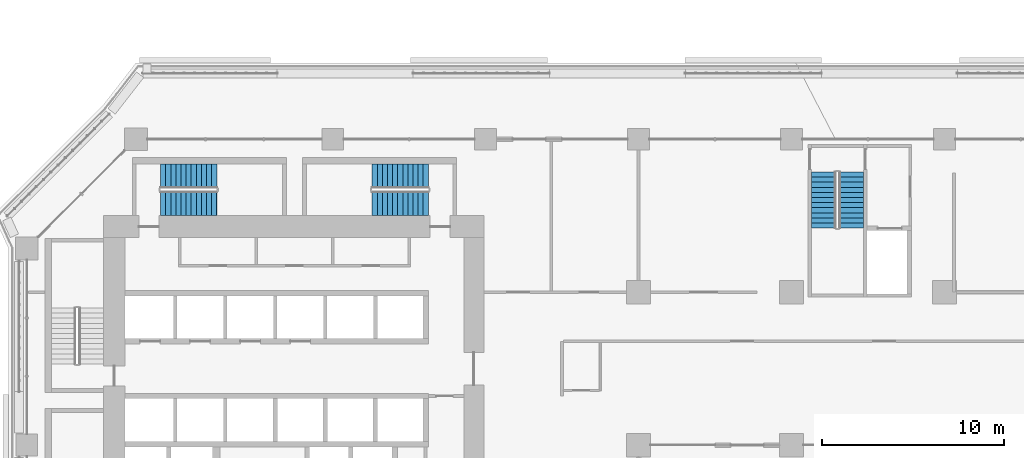
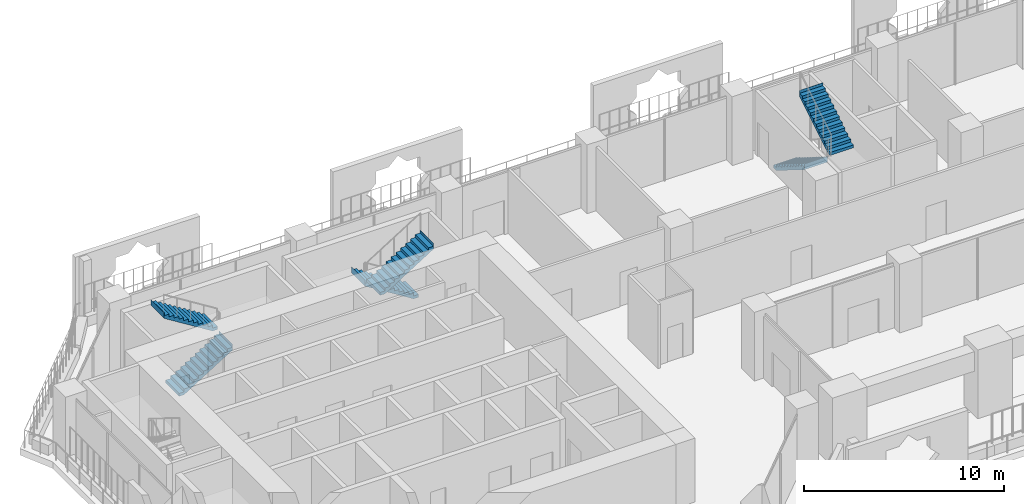
# One storey, part 17 of 27: 6 stair flights, 3 elements without a shape of their own.
"""IFC4 building model written with IfcOpenShell, lengths in metres."""

from ifc_helpers import new_model, si_unit, direction, frame, origin, place, context, subcontext, project, spatial, polyline, outline, extrude, material, type_object, element, aggregate, save


model = new_model("IFC4")

# Units and contexts
model_context = context("Model", 3, precision=1e-05, world=origin(), true_north=direction((0.0, 1.0)))
body_context = subcontext(model_context, "Body", "Model", "MODEL_VIEW")
ifc_project = project(units=[si_unit("LENGTHUNIT", "METRE"), si_unit("AREAUNIT", "SQUARE_METRE"), si_unit("VOLUMEUNIT", "CUBIC_METRE"), si_unit("PLANEANGLEUNIT", "RADIAN"), si_unit("MASSUNIT", "GRAM", prefix="KILO")], contexts=[model_context])

# Site, building, storey
site_placement = place(None, origin())
site = spatial("IfcSite", under=ifc_project, at=site_placement, CompositionType="ELEMENT")
building_placement = place(site_placement, origin())
building = spatial("IfcBuilding", under=site, at=building_placement, Name="Kawkab Arch Medical Tower", CompositionType="ELEMENT")
storey_placement = place(building_placement, frame((0.0, 0.0, 39.199951171875)))
storey = spatial("IfcBuildingStorey", under=building, at=storey_placement, Name="L08", CompositionType="ELEMENT", Elevation=39.199951171875)

# Stair, stair flights
ifc_material_1 = material(Name="Concrete C40/50", Category="concrete")
stair_type = type_object("IfcStairType", Name="Exit stair 1350", PredefinedType="HALF_TURN_STAIR", material=ifc_material_1)
placement = place(storey_placement, origin())
stair_1 = element("IfcStair", 1, at=placement, inside=storey, type_object=stair_type, Name="L08 Exit stair ST3", PredefinedType="HALF_TURN_STAIR")
ifc_material_2 = material(Name="Concrete C40/50", Category="concrete")
stair_flight_type = type_object("IfcStairFlightType", Name="Exit stair flight 1350", PredefinedType="STRAIGHT", material=ifc_material_2)
stair_flight_1_placement = place(storey_placement, frame((7.35009765625, -3.52490234375, 0.0), z_axis=(0.0, 0.0, 1.0), x_axis=(1.0, 0.0, 0.0)))
stair_flight_1 = element("IfcStairFlight", 2, at=stair_flight_1_placement, type_object=stair_flight_type, Name="ST3 flight 1", NumberOfRisers=12, NumberOfTreads=11, PredefinedType="STRAIGHT", RiserHeight=0.175, TreadLength=0.28, context=body_context, shape_type="SweptSolid", body=[
    extrude(outline(polyline([(-0.0029296875, 0.0), (-0.0029296875, 0.175048828125), (0.0, 0.175048828125), (0.280029296875, 0.175048828125), (0.280029296875, 0.35009765625), (0.56005859375, 0.35009765625), (0.56005859375, 0.52490234375), (0.840087890625, 0.52490234375), (0.840087890625, 0.699951171875), (1.1201171875, 0.699951171875), (1.1201171875, 0.875), (1.39990234375, 0.875), (1.39990234375, 1.050048828125), (1.679931640625, 1.050048828125), (1.679931640625, 1.22509765625), (1.9599609375, 1.22509765625), (1.9599609375, 1.39990234375), (2.239990234375, 1.39990234375), (2.239990234375, 1.574951171875), (2.52001953125, 1.574951171875), (2.52001953125, 1.75), (2.800048828125, 1.75), (2.800048828125, 1.925048828125), (3.080078125, 1.925048828125), (3.080078125, 2.10009765625), (3.0830078125, 2.10009765625), (3.0830078125, 1.748291015625), (3.080078125, 1.748291015625), (0.28271484375, 0.0), (-0.0029296875, 0.0)])), frame((0.0, 0.675048828125, 0.0), z_axis=(0.0, -1.0, 0.0), x_axis=(1.0, 0.0, 0.0)), (0.0, 0.0, 1.0), 1.35009765625),
])
stair_flight_2_placement = place(storey_placement, frame((10.429931640625, -2.02490234375, 2.10009765625), z_axis=(0.0, 0.0, 1.0), x_axis=(-1.0, 0.0, 0.0)))
stair_flight_2 = element("IfcStairFlight", 3, at=stair_flight_2_placement, type_object=stair_flight_type, Name="ST3 flight 2", NumberOfRisers=12, NumberOfTreads=11, PredefinedType="STRAIGHT", RiserHeight=0.175, TreadLength=0.28, context=body_context, shape_type="SweptSolid", body=[
    extrude(outline(polyline([(-0.0029296875, 0.0), (-0.0029296875, 0.175048828125), (0.0, 0.175048828125), (0.280029296875, 0.175048828125), (0.280029296875, 0.35009765625), (0.56005859375, 0.35009765625), (0.56005859375, 0.52490234375), (0.840087890625, 0.52490234375), (0.840087890625, 0.699951171875), (1.1201171875, 0.699951171875), (1.1201171875, 0.875), (1.39990234375, 0.875), (1.39990234375, 1.050048828125), (1.679931640625, 1.050048828125), (1.679931640625, 1.22509765625), (1.9599609375, 1.22509765625), (1.9599609375, 1.39990234375), (2.239990234375, 1.39990234375), (2.239990234375, 1.574951171875), (2.52001953125, 1.574951171875), (2.52001953125, 1.75), (2.800048828125, 1.75), (2.800048828125, 1.925048828125), (3.080078125, 1.925048828125), (3.080078125, 2.10009765625), (3.0830078125, 2.10009765625), (3.0830078125, 1.748291015625), (3.080078125, 1.748291015625), (0.28271484375, 0.0), (-0.0029296875, 0.0)])), frame((0.0, 0.675048828125, 0.0), z_axis=(0.0, -1.0, 0.0), x_axis=(1.0, 0.0, 0.0)), (0.0, 0.0, 1.0), 1.35009765625),
])
aggregate(stair_1, [stair_flight_1, stair_flight_2])

stair_2 = element("IfcStair", 4, at=placement, inside=storey, type_object=stair_type, Name="L08 Exit stair ST4", PredefinedType="HALF_TURN_STAIR")
stair_flight_3_placement = place(storey_placement, frame((22.050048828125, -2.02490234375, 0.0), z_axis=(0.0, 0.0, 1.0), x_axis=(-1.0, 0.0, 0.0)))
stair_flight_3 = element("IfcStairFlight", 5, at=stair_flight_3_placement, type_object=stair_flight_type, Name="ST4 flight 1", NumberOfRisers=12, NumberOfTreads=11, PredefinedType="STRAIGHT", RiserHeight=0.175, TreadLength=0.28, context=body_context, shape_type="SweptSolid", body=[
    extrude(outline(polyline([(-0.0029296875, 0.0), (-0.0029296875, 0.175048828125), (0.0, 0.175048828125), (0.280029296875, 0.175048828125), (0.280029296875, 0.35009765625), (0.56005859375, 0.35009765625), (0.56005859375, 0.52490234375), (0.840087890625, 0.52490234375), (0.840087890625, 0.699951171875), (1.1201171875, 0.699951171875), (1.1201171875, 0.875), (1.39990234375, 0.875), (1.39990234375, 1.050048828125), (1.679931640625, 1.050048828125), (1.679931640625, 1.22509765625), (1.9599609375, 1.22509765625), (1.9599609375, 1.39990234375), (2.239990234375, 1.39990234375), (2.239990234375, 1.574951171875), (2.52001953125, 1.574951171875), (2.52001953125, 1.75), (2.800048828125, 1.75), (2.800048828125, 1.925048828125), (3.080078125, 1.925048828125), (3.080078125, 2.10009765625), (3.0830078125, 2.10009765625), (3.0830078125, 1.748291015625), (3.080078125, 1.748291015625), (0.28271484375, 0.0), (-0.0029296875, 0.0)])), frame((0.0, 0.675048828125, 0.0), z_axis=(0.0, -1.0, 0.0), x_axis=(1.0, 0.0, 0.0)), (0.0, 0.0, 1.0), 1.35009765625),
])
stair_flight_4_placement = place(storey_placement, frame((18.969970703125, -3.52490234375, 2.10009765625), z_axis=(0.0, 0.0, 1.0), x_axis=(1.0, 0.0, 0.0)))
stair_flight_4 = element("IfcStairFlight", 6, at=stair_flight_4_placement, type_object=stair_flight_type, Name="ST4 flight 2", NumberOfRisers=12, NumberOfTreads=11, PredefinedType="STRAIGHT", RiserHeight=0.175, TreadLength=0.28, context=body_context, shape_type="SweptSolid", body=[
    extrude(outline(polyline([(-0.0029296875, 0.0), (-0.0029296875, 0.175048828125), (0.0, 0.175048828125), (0.280029296875, 0.175048828125), (0.280029296875, 0.35009765625), (0.56005859375, 0.35009765625), (0.56005859375, 0.52490234375), (0.840087890625, 0.52490234375), (0.840087890625, 0.699951171875), (1.1201171875, 0.699951171875), (1.1201171875, 0.875), (1.39990234375, 0.875), (1.39990234375, 1.050048828125), (1.679931640625, 1.050048828125), (1.679931640625, 1.22509765625), (1.9599609375, 1.22509765625), (1.9599609375, 1.39990234375), (2.239990234375, 1.39990234375), (2.239990234375, 1.574951171875), (2.52001953125, 1.574951171875), (2.52001953125, 1.75), (2.800048828125, 1.75), (2.800048828125, 1.925048828125), (3.080078125, 1.925048828125), (3.080078125, 2.10009765625), (3.0830078125, 2.10009765625), (3.0830078125, 1.748291015625), (3.080078125, 1.748291015625), (0.28271484375, 0.0), (-0.0029296875, 0.0)])), frame((0.0, 0.675048828125, 0.0), z_axis=(0.0, -1.0, 0.0), x_axis=(1.0, 0.0, 0.0)), (0.0, 0.0, 1.0), 1.35009765625),
])
aggregate(stair_2, [stair_flight_3, stair_flight_4])

stair_3 = element("IfcStair", 7, at=placement, inside=storey, type_object=stair_type, Name="L08 Exit stair ST5", PredefinedType="HALF_TURN_STAIR")
stair_flight_5_placement = place(storey_placement, frame((43.77490234375, -1.800048828125, 0.0), z_axis=(0.0, 0.0, 1.0), x_axis=(0.0, -1.0, 0.0)))
stair_flight_5 = element("IfcStairFlight", 8, at=stair_flight_5_placement, type_object=stair_flight_type, Name="ST5 flight 1", NumberOfRisers=12, NumberOfTreads=11, PredefinedType="STRAIGHT", RiserHeight=0.175, TreadLength=0.28, context=body_context, shape_type="SweptSolid", body=[
    extrude(outline(polyline([(-0.0029296875, 0.0), (-0.0029296875, 0.175048828125), (0.0, 0.175048828125), (0.280029296875, 0.175048828125), (0.280029296875, 0.35009765625), (0.56005859375, 0.35009765625), (0.56005859375, 0.52490234375), (0.840087890625, 0.52490234375), (0.840087890625, 0.699951171875), (1.1201171875, 0.699951171875), (1.1201171875, 0.875), (1.39990234375, 0.875), (1.39990234375, 1.050048828125), (1.679931640625, 1.050048828125), (1.679931640625, 1.22509765625), (1.9599609375, 1.22509765625), (1.9599609375, 1.39990234375), (2.239990234375, 1.39990234375), (2.239990234375, 1.574951171875), (2.52001953125, 1.574951171875), (2.52001953125, 1.75), (2.800048828125, 1.75), (2.800048828125, 1.925048828125), (3.080078125, 1.925048828125), (3.080078125, 2.10009765625), (3.0830078125, 2.10009765625), (3.0830078125, 1.748291015625), (3.080078125, 1.748291015625), (0.28271484375, 0.0), (-0.0029296875, 0.0)])), frame((0.0, 0.675048828125, 0.0), z_axis=(0.0, -1.0, 0.0), x_axis=(1.0, 0.0, 0.0)), (0.0, 0.0, 1.0), 1.35009765625),
])
stair_flight_6_placement = place(storey_placement, frame((45.27490234375, -4.8798828125, 2.10009765625), z_axis=(0.0, 0.0, 1.0), x_axis=(0.0, 1.0, 0.0)))
stair_flight_6 = element("IfcStairFlight", 9, at=stair_flight_6_placement, type_object=stair_flight_type, Name="ST5 flight 2", NumberOfRisers=12, NumberOfTreads=11, PredefinedType="STRAIGHT", RiserHeight=0.175, TreadLength=0.28, context=body_context, shape_type="SweptSolid", body=[
    extrude(outline(polyline([(-0.0029296875, 0.0), (-0.0029296875, 0.175048828125), (0.0, 0.175048828125), (0.280029296875, 0.175048828125), (0.280029296875, 0.35009765625), (0.56005859375, 0.35009765625), (0.56005859375, 0.52490234375), (0.840087890625, 0.52490234375), (0.840087890625, 0.699951171875), (1.1201171875, 0.699951171875), (1.1201171875, 0.875), (1.39990234375, 0.875), (1.39990234375, 1.050048828125), (1.679931640625, 1.050048828125), (1.679931640625, 1.22509765625), (1.9599609375, 1.22509765625), (1.9599609375, 1.39990234375), (2.239990234375, 1.39990234375), (2.239990234375, 1.574951171875), (2.52001953125, 1.574951171875), (2.52001953125, 1.75), (2.800048828125, 1.75), (2.800048828125, 1.925048828125), (3.080078125, 1.925048828125), (3.080078125, 2.10009765625), (3.0830078125, 2.10009765625), (3.0830078125, 1.748291015625), (3.080078125, 1.748291015625), (0.28271484375, 0.0), (-0.0029296875, 0.0)])), frame((0.0, 0.675048828125, 0.0), z_axis=(0.0, -1.0, 0.0), x_axis=(1.0, 0.0, 0.0)), (0.0, 0.0, 1.0), 1.35009765625),
])
aggregate(stair_3, [stair_flight_5, stair_flight_6])

save(model, "model.ifc")
